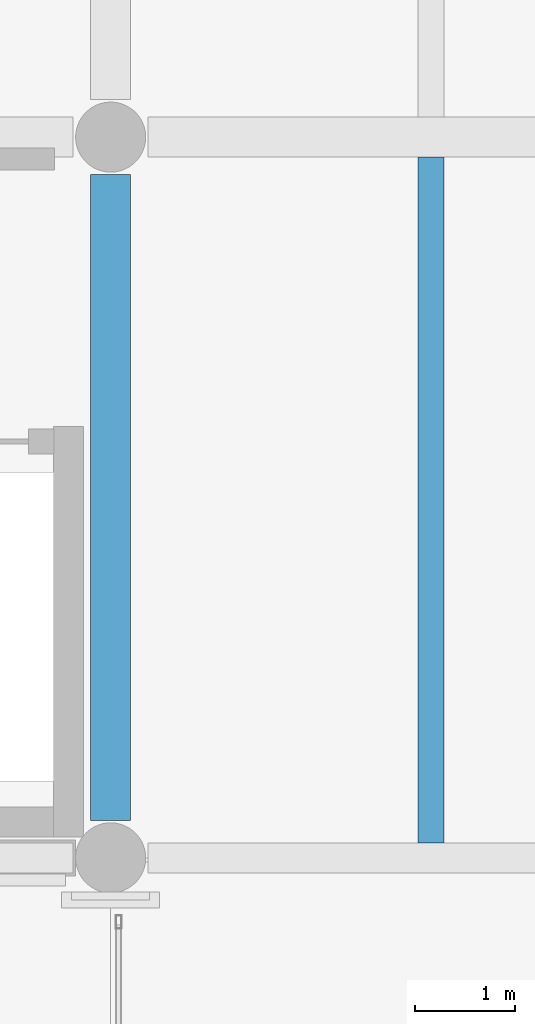
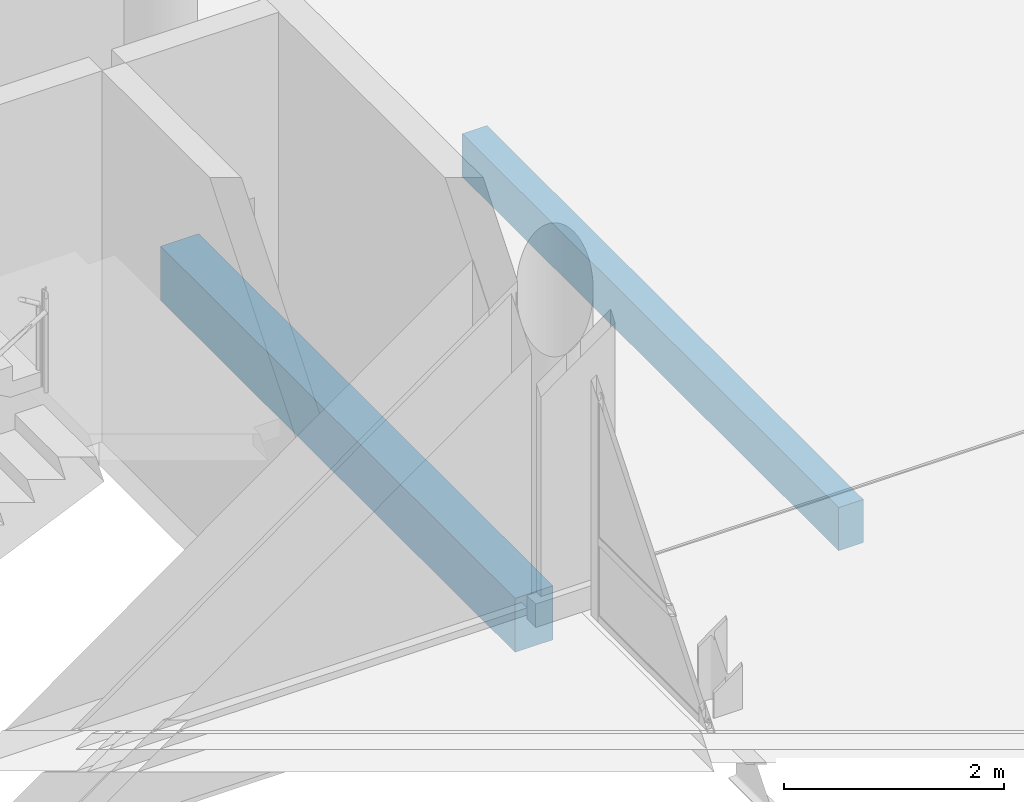
# One storey, part 47 of 196: 2 beams.
"""IFC4 building model written with IfcOpenShell, lengths in metres."""

from ifc_helpers import new_model, si_unit, direction, frame, origin, origin_2d, place, context, subcontext, project, spatial, rectangle, extrude, material, material_profile, profile_set, type_object, element, save


model = new_model("IFC4")

# Units and contexts
model_context = context("Model", 3, precision=1e-05, world=origin(), true_north=direction((0.0, 1.0)))
body_context = subcontext(model_context, "Body", "Model", "MODEL_VIEW")
ifc_project = project(units=[si_unit("LENGTHUNIT", "METRE"), si_unit("AREAUNIT", "SQUARE_METRE"), si_unit("VOLUMEUNIT", "CUBIC_METRE"), si_unit("PLANEANGLEUNIT", "RADIAN"), si_unit("MASSUNIT", "GRAM", prefix="KILO")], contexts=[model_context])

# Site, building, storey
site_placement = place(None, origin())
site = spatial("IfcSite", under=ifc_project, at=site_placement, CompositionType="ELEMENT")
building_placement = place(site_placement, origin())
building = spatial("IfcBuilding", under=site, at=building_placement, Name="Asteropetra Specialist Clinic", CompositionType="ELEMENT")
storey_placement = place(building_placement, origin())
storey = spatial("IfcBuildingStorey", under=building, at=storey_placement, Name="L00", CompositionType="ELEMENT", Elevation=0.0)

# Beams
ifc_material_1 = material(Name="Concrete C35/45", Category="concrete")
ifc_material_profile_1 = material_profile(ifc_material_1, rectangle(XDim=0.39990234375, YDim=0.60009765625, at=origin_2d()), Name="RCB 400x600")
ifc_profile_set_1 = profile_set([ifc_material_profile_1], Name="Concrete C35/45")
beam_type_1 = type_object("IfcBeamType", Name="BM-RC400x600", PredefinedType="BEAM", material=ifc_profile_set_1)
beam_1_placement = place(storey_placement, frame((9.60009765625, 33.97509765625, -0.60009765625), z_axis=(0.0, 1.0, 0.0), x_axis=(-1.0, 0.0, 0.0)))
element("IfcBeam", 1, at=beam_1_placement, inside=storey, type_object=beam_type_1, Name="Beam BBM08-0159", PredefinedType="BEAM", context=body_context, shape_type="SweptSolid", body=[
    extrude(rectangle(XDim=0.39990234375, YDim=0.60009765625, at=origin_2d()), origin(), (0.0, 0.0, 1.0), 6.449951171875),
])
ifc_material_2 = material(Name="Concrete C35/45", Category="concrete")
ifc_material_profile_2 = material_profile(ifc_material_2, rectangle(XDim=0.260009765625, YDim=0.47998046875, at=origin_2d()), Name="RCJ 260x480")
ifc_profile_set_2 = profile_set([ifc_material_profile_2], Name="Concrete C35/45")
beam_type_2 = type_object("IfcBeamType", Name="JST-RC260x480", PredefinedType="JOIST", material=ifc_profile_set_2)
beam_2_placement = place(storey_placement, frame((12.800048828125, 33.75, -0.5400390625), z_axis=(0.0, 1.0, 0.0), x_axis=(-1.0, 0.0, 0.0)))
element("IfcBeam", 2, at=beam_2_placement, inside=storey, type_object=beam_type_2, Name="Joist JJST02-0164", PredefinedType="JOIST", context=body_context, shape_type="SweptSolid", body=[
    extrude(rectangle(XDim=0.260009765625, YDim=0.47998046875, at=origin_2d()), origin(), (0.0, 0.0, 1.0), 6.85009765625),
])

save(model, "model.ifc")
